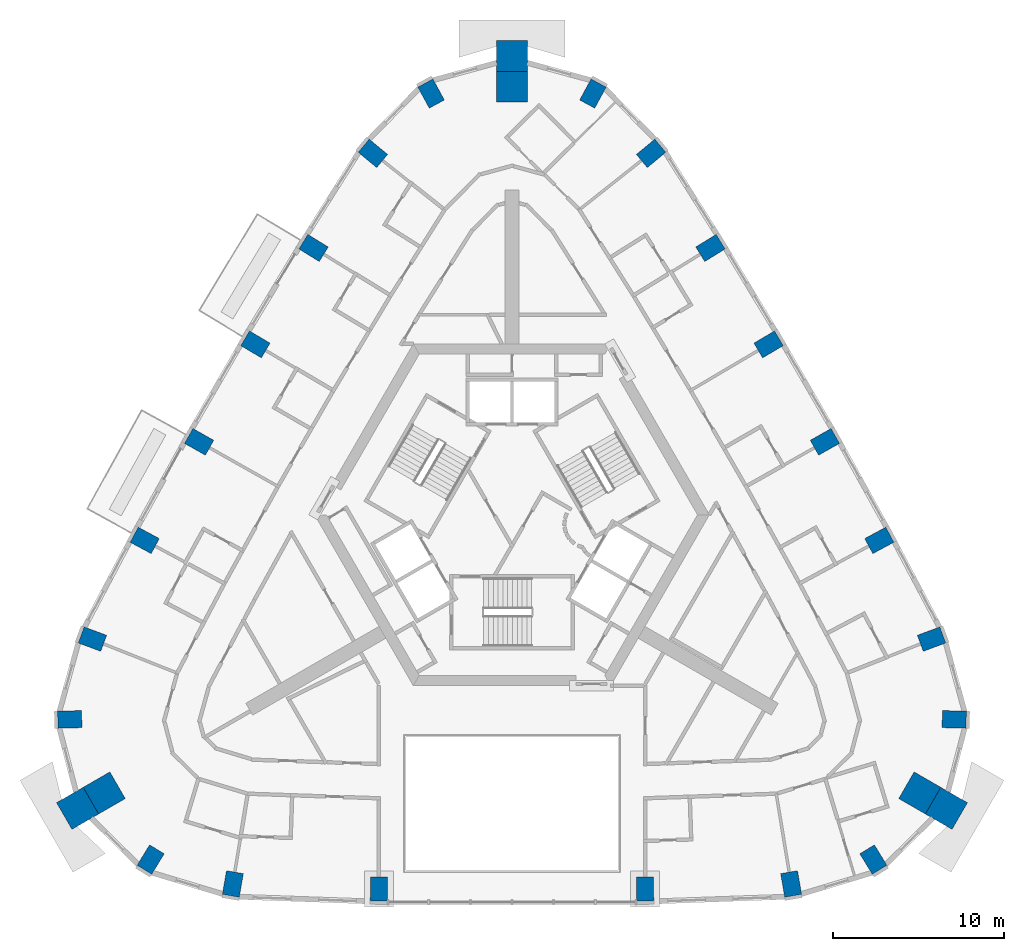
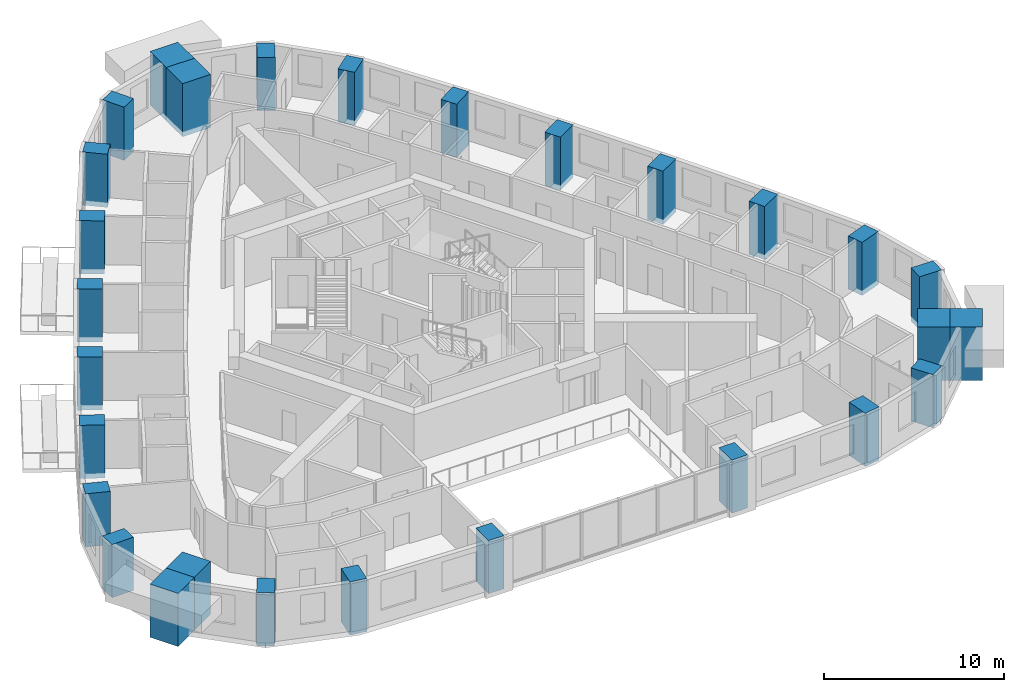
# One storey, part 1 of 14: 28 columns.
"""IFC4 building model written with IfcOpenShell, lengths in metres."""

from ifc_helpers import new_model, si_unit, direction, frame, origin, origin_2d, place, context, subcontext, project, spatial, rectangle, extrude, material, material_profile, profile_set, type_object, element, save


model = new_model("IFC4")

# Units and contexts
model_context = context("Model", 3, precision=1e-05, world=origin(), true_north=direction((0.0, 1.0)))
body_context = subcontext(model_context, "Body", "Model", "MODEL_VIEW")
ifc_project = project(units=[si_unit("LENGTHUNIT", "METRE"), si_unit("AREAUNIT", "SQUARE_METRE"), si_unit("VOLUMEUNIT", "CUBIC_METRE"), si_unit("PLANEANGLEUNIT", "RADIAN"), si_unit("MASSUNIT", "GRAM", prefix="KILO")], contexts=[model_context])

# Site, building, storey
site_placement = place(None, origin())
site = spatial("IfcSite", under=ifc_project, at=site_placement, CompositionType="ELEMENT")
building_placement = place(site_placement, origin())
building = spatial("IfcBuilding", under=site, at=building_placement, Name="Entoto Arch Interchange Tower", CompositionType="ELEMENT")
storey_placement = place(building_placement, frame((0.0, 0.0, 259.39990234375)))
storey = spatial("IfcBuildingStorey", under=building, at=storey_placement, Name="L59", CompositionType="ELEMENT", Elevation=259.39990234375)

# Columns
ifc_material_1 = material(Name="Concrete C40/50", Category="concrete")
ifc_material_profile_1 = material_profile(ifc_material_1, rectangle(XDim=1.0, YDim=1.39990234375, at=origin_2d()))
ifc_profile_set_1 = profile_set([ifc_material_profile_1], Name="Concrete C40/50")
column_type_1 = type_object("IfcColumnType", Name="Column RC 1000x1400 C40/50", PredefinedType="COLUMN", material=ifc_profile_set_1)
for number, where, z_axis, x_axis, name in (
    (1, (-16.330078125, -19.09912109375, -0.33984375), (0.0, 0.0, 1.0), (-0.985952343326, 0.167026874157, 0.0), "Column S01 L59"),
    (2, (-7.783935546875, -19.388916015625, -0.33984375), (0.0, 0.0, 1.0), (-0.999832723398, 0.018290030661, 0.0), "Column S02 L59"),
    (3, (7.783935546875, -19.388916015625, -0.33984375), (0.0, 0.0, 1.0), (0.999832723398, 0.018290030661, 0.0), "Column S03 L59"),
    (4, (16.330078125, -19.09912109375, -0.33984375), (0.0, 0.0, 1.0), (0.985952343326, 0.167026874157, 0.0), "Column S04 L59"),
    (5, (21.139892578125, -17.669921875, -0.33984375), (0.0, 0.0, 1.0), (0.853341581839, 0.521352227103, 0.0), "Column SE1 L59"),
    (6, (25.8720703125, -9.471923828125, -0.33984375), (0.0, 0.0, 1.0), (0.024833482072, 0.999691601529, 0.0), "Column SE3 L59"),
    (7, (24.544921875, -4.77490234375, -0.33984375), (0.0, 0.0, 1.0), (-0.346853804003, 0.937919206888, 0.0), "Column NE01 L59"),
    (8, (21.488037109375, 1.0009765625, -0.33984375), (0.0, 0.0, 1.0), (-0.473980634908, 0.880535267739, 0.0), "Column NE02 L59"),
    (9, (18.303955078125, 6.76611328125, -0.33984375), (0.0, 0.0, 1.0), (-0.491375053773, 0.870948079124, 0.0), "Column NE03 L59"),
    (10, (15.010986328125, 12.468017578125, -0.33984375), (0.0, 0.0, 1.0), (-0.508575635012, 0.861017318916, 0.0), "Column NE04 L59"),
    (11, (11.610107421875, 18.10888671875, -0.33984375), (0.0, 0.0, 1.0), (-0.525575593337, 0.850746904601, 0.0), "Column NE05 L59"),
    (12, (8.136962890625, 23.64501953125, -0.33984375), (0.0, 0.0, 1.0), (-0.638834957861, 0.769343809109, 0.0), "Column NE06 L59"),
    (13, (4.73291015625, 27.14306640625, -0.33984375), (0.0, 0.0, 1.0), (-0.87817506391, 0.478339374426, 0.0), "Column N1 L59"),
    (14, (-4.73291015625, 27.14306640625, -0.33984375), (0.0, 0.0, 1.0), (0.87817506391, 0.478339374426, 0.0), "Column N3 L59"),
    (15, (-8.136962890625, 23.64501953125, -0.33984375), (0.0, 0.0, 1.0), (0.638834957861, 0.769343809109, 0.0), "Column NW01 L59"),
    (16, (-11.610107421875, 18.10888671875, -0.33984375), (0.0, 0.0, 1.0), (0.525575593337, 0.850746904601, 0.0), "Column NW02 L59"),
    (17, (-15.010986328125, 12.468017578125, -0.33984375), (0.0, 0.0, 1.0), (0.508575635012, 0.861017318916, 0.0), "Column NW03 L59"),
    (18, (-18.303955078125, 6.76611328125, -0.33984375), (0.0, 0.0, 1.0), (0.491375053773, 0.870948079124, 0.0), "Column NW04 L59"),
    (19, (-21.488037109375, 1.0009765625, -0.33984375), (0.0, 0.0, 1.0), (0.473980634908, 0.880535267739, 0.0), "Column NW05 L59"),
    (20, (-24.544921875, -4.77490234375, -0.33984375), (0.0, 0.0, 1.0), (0.346853804003, 0.937919206888, 0.0), "Column NW06 L59"),
    (21, (-25.8720703125, -9.471923828125, -0.33984375), (0.0, 0.0, 1.0), (-0.024833482072, 0.999691601529, 0.0), "Column SW1 L59"),
    (22, (-21.139892578125, -17.669921875, -0.33984375), (0.0, 0.0, 1.0), (-0.853341581839, 0.521352227103, 0.0), "Column SW3 L59"),
):
    element("IfcColumn", number, at=place(storey_placement, frame(where, z_axis=z_axis, x_axis=x_axis)), inside=storey, type_object=column_type_1, Name=name, PredefinedType="COLUMN", context=body_context, shape_type="SweptSolid", body=[
        extrude(rectangle(XDim=1.0, YDim=1.39990234375, at=origin_2d()), origin(), (0.0, 0.0, 1.0), 3.599853515625),
    ])
ifc_material_2 = material(Name="Precast concrete C40/50", Category="concrete")
ifc_material_profile_2 = material_profile(ifc_material_2, rectangle(XDim=1.800048828125, YDim=1.800048828125, at=origin_2d()))
ifc_profile_set_2 = profile_set([ifc_material_profile_2], Name="Precast concrete C40/50")
column_type_2 = type_object("IfcColumnType", Name="Frame post RC 1800x1800 precast C40/50", PredefinedType="COLUMN", material=ifc_profile_set_2)
for number, where, z_axis, x_axis, name in (
    (23, (25.4150390625, -14.674072265625, -0.33984375), (0.0, 0.0, 1.0), (-0.866025403784, 0.5, 0.0), "Frame post SE L59"),
    (24, (0.0, 29.346923828125, -0.33984375), (0.0, 0.0, 1.0), (0.0, 1.0, 0.0), "Frame post N L59"),
    (25, (-25.4150390625, -14.674072265625, -0.33984375), (0.0, 0.0, 1.0), (0.866025403784, 0.5, 0.0), "Frame post SW L59"),
):
    element("IfcColumn", number, at=place(storey_placement, frame(where, z_axis=z_axis, x_axis=x_axis)), inside=storey, type_object=column_type_2, Name=name, PredefinedType="COLUMN", context=body_context, shape_type="SweptSolid", body=[
        extrude(rectangle(XDim=1.800048828125, YDim=1.800048828125, at=origin_2d()), origin(), (0.0, 0.0, 1.0), 3.599853515625),
    ])
ifc_material_profile_3 = material_profile(ifc_material_1, rectangle(XDim=1.800048828125, YDim=1.800048828125, at=origin_2d()))
ifc_profile_set_3 = profile_set([ifc_material_profile_3], Name="Concrete C40/50")
column_type_3 = type_object("IfcColumnType", Name="Mega column RC 1800x1800 C40/50", PredefinedType="COLUMN", material=ifc_profile_set_3)
for number, where, z_axis, x_axis, name in (
    (26, (23.85595703125, -13.77392578125, -0.33984375), (0.0, 0.0, 1.0), (-0.866025403784, 0.5, 0.0), "Corner mega column SE2 L59"),
    (27, (0.0, 27.547119140625, -0.33984375), (0.0, 0.0, 1.0), (0.0, 1.0, 0.0), "Corner mega column N2 L59"),
    (28, (-23.85595703125, -13.77392578125, -0.33984375), (0.0, 0.0, 1.0), (0.866025403784, 0.5, 0.0), "Corner mega column SW2 L59"),
):
    element("IfcColumn", number, at=place(storey_placement, frame(where, z_axis=z_axis, x_axis=x_axis)), inside=storey, type_object=column_type_3, Name=name, PredefinedType="COLUMN", context=body_context, shape_type="SweptSolid", body=[
        extrude(rectangle(XDim=1.800048828125, YDim=1.800048828125, at=origin_2d()), origin(), (0.0, 0.0, 1.0), 3.599853515625),
    ])

save(model, "model.ifc")
